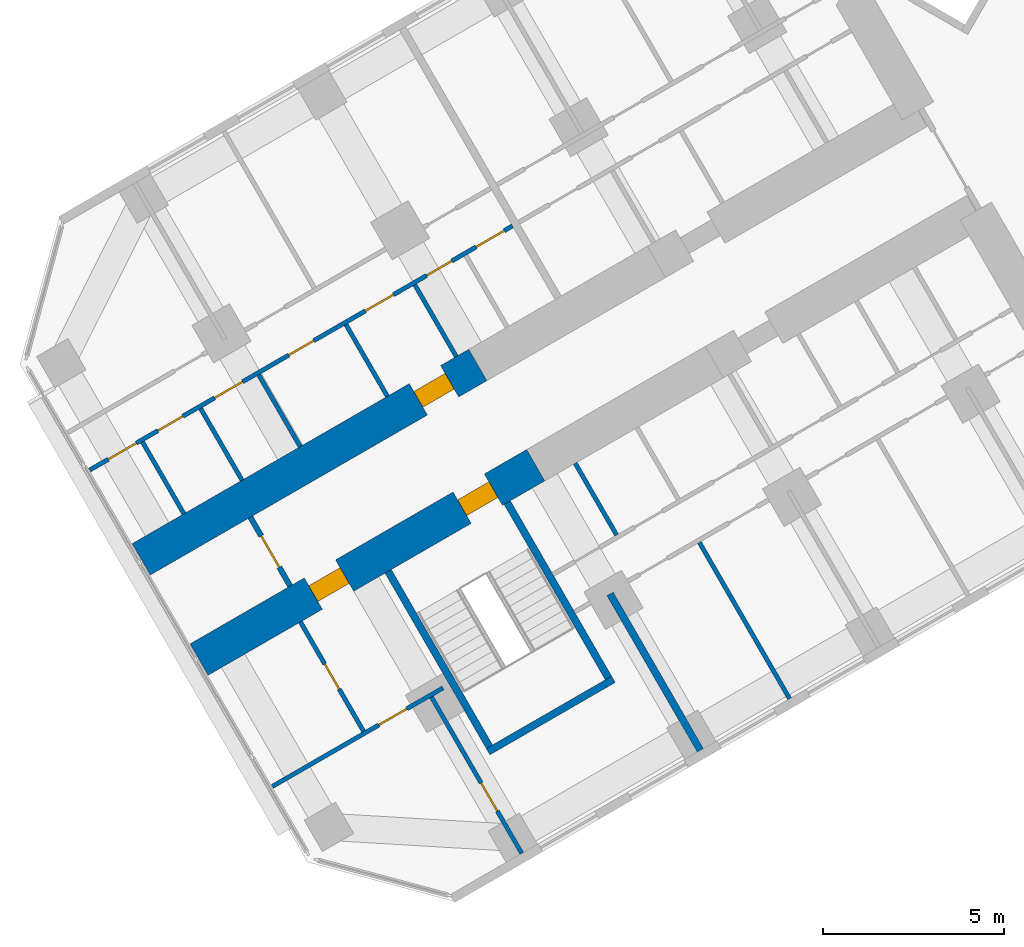
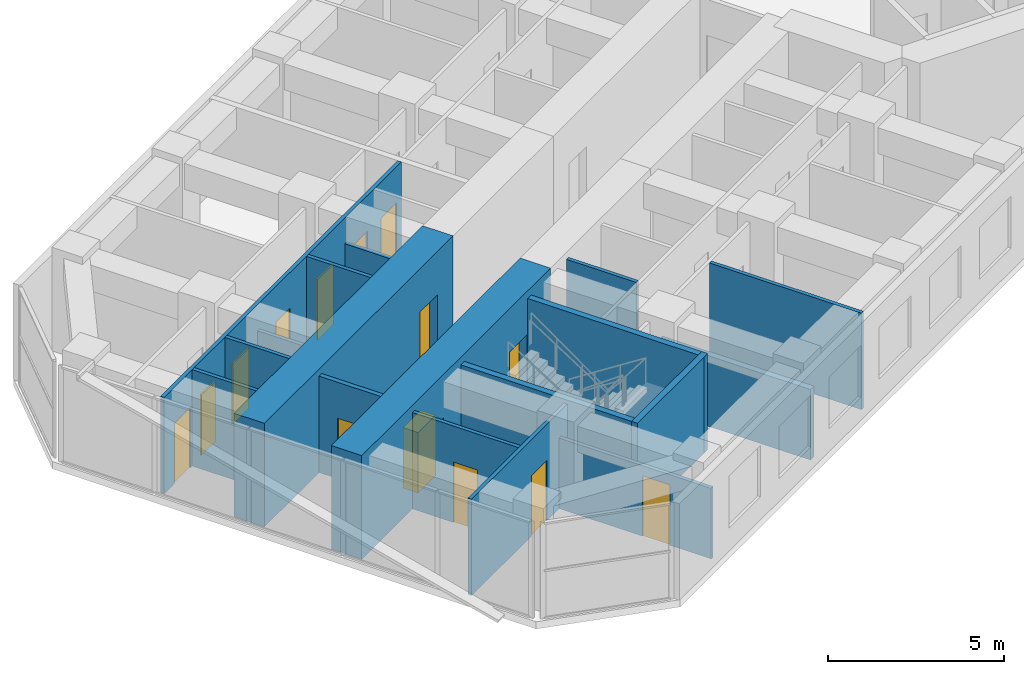
# One storey, part 10 of 21: 18 walls, 14 doors, 14 openings.
"""IFC4 building model written with IfcOpenShell, lengths in metres."""

from ifc_helpers import new_model, si_unit, direction, frame, frame_2d, origin, place, context, subcontext, project, spatial, rectangle, extrude, material, layer, layer_set, type_object, element, fill, save


model = new_model("IFC4")

# Units and contexts
model_context = context("Model", 3, precision=1e-05, world=origin(), true_north=direction((0.0, 1.0)))
body_context = subcontext(model_context, "Body", "Model", "MODEL_VIEW")
ifc_project = project(units=[si_unit("LENGTHUNIT", "METRE"), si_unit("AREAUNIT", "SQUARE_METRE"), si_unit("VOLUMEUNIT", "CUBIC_METRE"), si_unit("PLANEANGLEUNIT", "RADIAN"), si_unit("MASSUNIT", "GRAM", prefix="KILO")], contexts=[model_context])

# Site, building, storey
site_placement = place(None, origin())
site = spatial("IfcSite", under=ifc_project, at=site_placement, CompositionType="ELEMENT")
building_placement = place(site_placement, origin())
building = spatial("IfcBuilding", under=site, at=building_placement, Name="Kosmar Iwan School Tower", CompositionType="ELEMENT")
storey_placement = place(building_placement, frame((0.0, 0.0, 71.800048828125)))
storey = spatial("IfcBuildingStorey", under=building, at=storey_placement, Name="L17", CompositionType="ELEMENT", Elevation=71.800048828125)

# Wall, openings, doors
ifc_material_1 = material(Name="Concrete C50/60", Category="concrete")
ifc_layer_1 = layer(ifc_material_1, 1.0)
ifc_layer_set_1 = layer_set([ifc_layer_1], Name="Corridor buttress wall 1000")
wall_type_1 = type_object("IfcWallType", Name="Corridor buttress wall 1000", PredefinedType="SHEAR", material=ifc_layer_set_1)
wall_1_placement = place(storey_placement, frame((-19.681396484375, -13.210693359375, 0.0), z_axis=(0.0, 0.0, 1.0), x_axis=(-0.866028186671, -0.499995179869, 0.0)))
wall_1 = element("IfcWall", 1, at=wall_1_placement, inside=storey, type_object=wall_type_1, Name="Corridor wall BL bay 3", PredefinedType="SHEAR", context=body_context, shape_type="SweptSolid", body=[
    extrude(rectangle(XDim=10.7451171875, YDim=1.0, at=frame_2d((5.37255859375, 0.0))), origin(), (0.0, 0.0, 1.0), 3.599853515625),
])
opening_1_placement = place(wall_1_placement, frame((6.10009765625, 0.0, 0.0)))
opening_1 = element("IfcOpeningElement", 2, at=opening_1_placement, cuts=wall_1, Name="Opening D1", PredefinedType="OPENING", context=body_context, shape_type="SweptSolid", body=[
    extrude(rectangle(XDim=1.0, YDim=2.10009765625, at=frame_2d((0.5, 1.050048828125))), frame((0.0, 0.511962890625, 0.0), z_axis=(0.0, -1.0, 0.0), x_axis=(1.0, 0.0, 0.0)), (0.0, 0.0, 1.0), 1.02392578125),
])
opening_2_placement = place(wall_1_placement, frame((1.35009765625, 0.0, 0.0)))
opening_2 = element("IfcOpeningElement", 3, at=opening_2_placement, cuts=wall_1, Name="Opening D6", PredefinedType="OPENING", context=body_context, shape_type="SweptSolid", body=[
    extrude(rectangle(XDim=1.0, YDim=2.10009765625, at=frame_2d((0.5, 1.050048828125))), frame((0.0, 0.511962890625, 0.0), z_axis=(0.0, -1.0, 0.0), x_axis=(1.0, 0.0, 0.0)), (0.0, 0.0, 1.0), 1.02392578125),
])
ifc_material_2 = material(Name="Timber fire door in steel frame", Category="steel")
door_type_1 = type_object("IfcDoorType", Name="Flat entrance door 1000x2100", OperationType="SINGLE_SWING_LEFT", PredefinedType="DOOR", material=ifc_material_2)
door_1_placement = place(opening_1_placement, origin())
door_1 = element("IfcDoor", 4, at=door_1_placement, inside=storey, type_object=door_type_1, Name="Flat L17-BL2 entrance door", OperationType="SINGLE_SWING_RIGHT", OverallHeight=2.10009765625, OverallWidth=1.0, PredefinedType="DOOR", context=body_context, shape_type="SweptSolid", body=[
    extrude(rectangle(XDim=1.0, YDim=2.10009765625, at=frame_2d((0.5, 1.050048828125))), frame((0.0, 0.25, 0.0), z_axis=(0.0, -1.0, 0.0), x_axis=(1.0, 0.0, 0.0)), (0.0, 0.0, 1.0), 0.5),
])
fill(opening_1, door_1)
ifc_material_3 = material(Name="Steel fire door", Category="steel")
door_type_2 = type_object("IfcDoorType", Name="Stair door 1000x2100", OperationType="SINGLE_SWING_LEFT", PredefinedType="DOOR", material=ifc_material_3)
door_2_placement = place(opening_2_placement, origin())
door_2 = element("IfcDoor", 5, at=door_2_placement, inside=storey, type_object=door_type_2, Name="Stair WS2 door L17", OperationType="SINGLE_SWING_LEFT", OverallHeight=2.10009765625, OverallWidth=1.0, PredefinedType="DOOR", context=body_context, shape_type="SweptSolid", body=[
    extrude(rectangle(XDim=1.0, YDim=2.10009765625, at=frame_2d((0.5, 1.050048828125))), frame((0.0, 0.25, 0.0), z_axis=(0.0, -1.0, 0.0), x_axis=(1.0, 0.0, 0.0)), (0.0, 0.0, 1.0), 0.5),
])
fill(opening_2, door_2)

# Wall, opening, door
wall_2_placement = place(storey_placement, frame((-21.281494140625, -10.439453125, 0.0), z_axis=(0.0, 0.0, 1.0), x_axis=(-0.866032345022, -0.499987977232, 0.0)))
wall_2 = element("IfcWall", 6, at=wall_2_placement, inside=storey, type_object=wall_type_1, Name="Corridor wall BR bay 3", PredefinedType="SHEAR", context=body_context, shape_type="SweptSolid", body=[
    extrude(rectangle(XDim=10.744873046875, YDim=1.0, at=frame_2d((5.37255859375, 0.0))), origin(), (0.0, 0.0, 1.0), 3.599853515625),
])
opening_3_placement = place(wall_2_placement, frame((0.89990234375, 0.0, 0.0)))
opening_3 = element("IfcOpeningElement", 7, at=opening_3_placement, cuts=wall_2, Name="Opening D1", PredefinedType="OPENING", context=body_context, shape_type="SweptSolid", body=[
    extrude(rectangle(XDim=1.0, YDim=2.10009765625, at=frame_2d((0.5, 1.050048828125))), frame((0.0, 0.511962890625, 0.0), z_axis=(0.0, -1.0, 0.0), x_axis=(1.0, 0.0, 0.0)), (0.0, 0.0, 1.0), 1.02392578125),
])
door_3_placement = place(opening_3_placement, origin())
door_3 = element("IfcDoor", 8, at=door_3_placement, inside=storey, type_object=door_type_1, Name="Flat L17-BR2 entrance door", OperationType="SINGLE_SWING_LEFT", OverallHeight=2.10009765625, OverallWidth=1.0, PredefinedType="DOOR", context=body_context, shape_type="SweptSolid", body=[
    extrude(rectangle(XDim=1.0, YDim=2.10009765625, at=frame_2d((0.5, 1.050048828125))), frame((0.0, 0.25, 0.0), z_axis=(0.0, -1.0, 0.0), x_axis=(1.0, 0.0, 0.0)), (0.0, 0.0, 1.0), 0.5),
])
fill(opening_3, door_3)

ifc_material_4 = material(Name="Gypsum board on steel studs, fire-rated", Category="steel")
ifc_layer_2 = layer(ifc_material_4, 0.14990234375)
ifc_layer_set_2 = layer_set([ifc_layer_2], Name="Corridor end wall 150")
wall_type_2 = type_object("IfcWallType", Name="Corridor end wall 150", PredefinedType="PARTITIONING", material=ifc_layer_set_2)
wall_3_placement = place(storey_placement, frame((-27.570068359375, -14.6474609375, 0.0), z_axis=(0.0, 0.0, 1.0), x_axis=(0.50002983664, -0.866008176907, 0.0)))
wall_3 = element("IfcWall", 9, at=wall_3_placement, inside=storey, type_object=wall_type_2, Name="Partition L17-B-CE", PredefinedType="PARTITIONING", context=body_context, shape_type="SweptSolid", body=[
    extrude(rectangle(XDim=2.199951171875, YDim=0.14990234375, at=frame_2d((1.10009765625, 0.0))), origin(), (0.0, 0.0, 1.0), 3.349853515625),
])
opening_4_placement = place(wall_3_placement, frame((0.60009765625, 0.0, 0.0)))
opening_4 = element("IfcOpeningElement", 10, at=opening_4_placement, cuts=wall_3, Name="Opening D13", PredefinedType="OPENING", context=body_context, shape_type="SweptSolid", body=[
    extrude(rectangle(XDim=1.0, YDim=2.10009765625, at=frame_2d((0.5, 1.050048828125))), frame((0.0, 0.0869140625, 0.0), z_axis=(0.0, -1.0, 0.0), x_axis=(1.0, 0.0, 0.0)), (0.0, 0.0, 1.0), 0.173828125),
])
ifc_material_5 = material(Name="Timber fire door with vision panel", Category="wood")
door_type_3 = type_object("IfcDoorType", Name="Corridor end door 1000x2100", OperationType="SINGLE_SWING_LEFT", PredefinedType="DOOR", material=ifc_material_5)
door_4_placement = place(opening_4_placement, origin())
door_4 = element("IfcDoor", 11, at=door_4_placement, inside=storey, type_object=door_type_3, Name="Children's play room door L17-B", OperationType="SINGLE_SWING_RIGHT", OverallHeight=2.10009765625, OverallWidth=1.0, PredefinedType="DOOR", context=body_context, shape_type="SweptSolid", body=[
    extrude(rectangle(XDim=1.0, YDim=2.10009765625, at=frame_2d((0.5, 1.050048828125))), frame((0.0, 0.02490234375, 0.0), z_axis=(0.0, -1.0, 0.0), x_axis=(1.0, 0.0, 0.0)), (0.0, 0.0, 1.0), 0.050048828125),
])
fill(opening_4, door_4)

# Walls
ifc_material_6 = material(Name="Gypsum board on steel studs", Category="steel")
ifc_layer_3 = layer(ifc_material_6, 0.1201171875)
ifc_layer_set_3 = layer_set([ifc_layer_3], Name="Dwelling partition 120")
wall_type_3 = type_object("IfcWallType", Name="Dwelling partition 120", PredefinedType="PARTITIONING", material=ifc_layer_set_3)
wall_4_placement = place(storey_placement, frame((-15.158447265625, -15.344970703125, 0.0), z_axis=(0.0, 0.0, 1.0), x_axis=(0.500011847778, -0.866018563358, 0.0)))
element("IfcWall", 12, at=wall_4_placement, inside=storey, type_object=wall_type_3, Name="Partition L17-BL1-X4", PredefinedType="PARTITIONING", context=body_context, shape_type="SweptSolid", body=[
    extrude(rectangle(XDim=4.990234375, YDim=0.1201171875, at=frame_2d((2.4951171875, 0.0))), origin(), (0.0, 0.0, 1.0), 3.349853515625),
])
wall_5_placement = place(storey_placement, frame((-18.59033203125, -13.157958984375, 0.0), z_axis=(0.0, 0.0, 1.0), x_axis=(0.500014693593, -0.866016920268, 0.0)))
element("IfcWall", 13, at=wall_5_placement, inside=storey, type_object=wall_type_3, Name="Partition L17-BL1-Y6", PredefinedType="PARTITIONING", context=body_context, shape_type="SweptSolid", body=[
    extrude(rectangle(XDim=2.2900390625, YDim=0.1201171875, at=frame_2d((1.14501953125, 0.0))), origin(), (0.0, 0.0, 1.0), 3.349853515625),
])

# Wall, opening, door
wall_6_placement = place(storey_placement, frame((-22.562744140625, -19.6201171875, 0.0), z_axis=(0.0, 0.0, 1.0), x_axis=(0.499996339024, -0.86602751744, 0.0)))
wall_6 = element("IfcWall", 14, at=wall_6_placement, inside=storey, type_object=wall_type_3, Name="Partition L17-BL2-TX", PredefinedType="PARTITIONING", context=body_context, shape_type="SweptSolid", body=[
    extrude(rectangle(XDim=4.98974609375, YDim=0.1201171875, at=frame_2d((2.494873046875, 0.0))), origin(), (0.0, 0.0, 1.0), 2.449951171875),
])
opening_5_placement = place(wall_6_placement, frame((2.739990234375, 0.0, 0.0)))
opening_5 = element("IfcOpeningElement", 15, at=opening_5_placement, cuts=wall_6, Name="Opening D2", PredefinedType="OPENING", context=body_context, shape_type="SweptSolid", body=[
    extrude(rectangle(XDim=0.89990234375, YDim=2.10009765625, at=frame_2d((0.449951171875, 1.050048828125))), frame((0.0, 0.072021484375, 0.0), z_axis=(0.0, -1.0, 0.0), x_axis=(1.0, 0.0, 0.0)), (0.0, 0.0, 1.0), 0.14404296875),
])
ifc_material_7 = material(Name="Timber door in timber frame", Category="wood")
door_type_4 = type_object("IfcDoorType", Name="Internal door 900x2100", OperationType="SINGLE_SWING_LEFT", PredefinedType="DOOR", material=ifc_material_7)
door_5_placement = place(opening_5_placement, origin())
door_5 = element("IfcDoor", 16, at=door_5_placement, inside=storey, type_object=door_type_4, Name="Bedroom 1 door L17-BL2-T1", OperationType="SINGLE_SWING_RIGHT", OverallHeight=2.10009765625, OverallWidth=0.89990234375, PredefinedType="DOOR", context=body_context, shape_type="SweptSolid", body=[
    extrude(rectangle(XDim=0.89990234375, YDim=2.10009765625, at=frame_2d((0.449951171875, 1.050048828125))), frame((0.0, 0.02490234375, 0.0), z_axis=(0.0, -1.0, 0.0), x_axis=(1.0, 0.0, 0.0)), (0.0, 0.0, 1.0), 0.050048828125),
])
fill(opening_5, door_5)

wall_7_placement = place(storey_placement, frame((-22.246337890625, -19.3681640625, 0.0), z_axis=(0.0, 0.0, 1.0), x_axis=(-0.866035508231, -0.499982498177, 0.0)))
wall_7 = element("IfcWall", 17, at=wall_7_placement, inside=storey, type_object=wall_type_3, Name="Partition L17-BL2-TW", PredefinedType="PARTITIONING", context=body_context, shape_type="SweptSolid", body=[
    extrude(rectangle(XDim=5.445068359375, YDim=0.1201171875, at=frame_2d((2.72265625, 0.0))), origin(), (0.0, 0.0, 1.0), 3.349853515625),
])
opening_6_placement = place(wall_7_placement, frame((1.14990234375, 0.0, 0.0)))
opening_6 = element("IfcOpeningElement", 18, at=opening_6_placement, cuts=wall_7, Name="Opening D2", PredefinedType="OPENING", context=body_context, shape_type="SweptSolid", body=[
    extrude(rectangle(XDim=0.89990234375, YDim=2.10009765625, at=frame_2d((0.449951171875, 1.050048828125))), frame((0.0, 0.072021484375, 0.0), z_axis=(0.0, -1.0, 0.0), x_axis=(1.0, 0.0, 0.0)), (0.0, 0.0, 1.0), 0.14404296875),
])
door_6_placement = place(opening_6_placement, origin())
door_6 = element("IfcDoor", 19, at=door_6_placement, inside=storey, type_object=door_type_4, Name="Entrance hall door L17-BL2-T3", OperationType="SINGLE_SWING_LEFT", OverallHeight=2.10009765625, OverallWidth=0.89990234375, PredefinedType="DOOR", context=body_context, shape_type="SweptSolid", body=[
    extrude(rectangle(XDim=0.89990234375, YDim=2.10009765625, at=frame_2d((0.449951171875, 1.050048828125))), frame((0.0, 0.02490234375, 0.0), z_axis=(0.0, -1.0, 0.0), x_axis=(1.0, 0.0, 0.0)), (0.0, 0.0, 1.0), 0.050048828125),
])
fill(opening_6, door_6)

wall_8_placement = place(storey_placement, frame((-26.1865234375, -17.543701171875, 0.0), z_axis=(0.0, 0.0, 1.0), x_axis=(0.50002117804, -0.866013176292, 0.0)))
wall_8 = element("IfcWall", 20, at=wall_8_placement, inside=storey, type_object=wall_type_3, Name="Partition L17-BL2-TY", PredefinedType="PARTITIONING", context=body_context, shape_type="SweptSolid", body=[
    extrude(rectangle(XDim=3.489990234375, YDim=0.1201171875, at=frame_2d((1.7451171875, 0.0))), origin(), (0.0, 0.0, 1.0), 3.349853515625),
])
opening_7_placement = place(wall_8_placement, frame((1.344970703125, 0.0, 0.0)))
opening_7 = element("IfcOpeningElement", 21, at=opening_7_placement, cuts=wall_8, Name="Opening D3", PredefinedType="OPENING", context=body_context, shape_type="SweptSolid", body=[
    extrude(rectangle(XDim=0.800048828125, YDim=2.10009765625, at=frame_2d((0.39990234375, 1.050048828125))), frame((0.0, 0.072021484375, 0.0), z_axis=(0.0, -1.0, 0.0), x_axis=(1.0, 0.0, 0.0)), (0.0, 0.0, 1.0), 0.14404296875),
])
ifc_material_8 = material(Name="Timber door in timber frame", Category="wood")
door_type_5 = type_object("IfcDoorType", Name="Sanitary room door 800x2100", OperationType="SINGLE_SWING_LEFT", PredefinedType="DOOR", material=ifc_material_8)
door_7_placement = place(opening_7_placement, origin())
door_7 = element("IfcDoor", 22, at=door_7_placement, inside=storey, type_object=door_type_5, Name="Bathroom door L17-BL2-T4", OperationType="SINGLE_SWING_RIGHT", OverallHeight=2.10009765625, OverallWidth=0.800048828125, PredefinedType="DOOR", context=body_context, shape_type="SweptSolid", body=[
    extrude(rectangle(XDim=0.800048828125, YDim=2.10009765625, at=frame_2d((0.39990234375, 1.050048828125))), frame((0.0, 0.02490234375, 0.0), z_axis=(0.0, -1.0, 0.0), x_axis=(1.0, 0.0, 0.0)), (0.0, 0.0, 1.0), 0.050048828125),
])
fill(opening_7, door_7)

# Wall, openings, doors
wall_9_placement = place(storey_placement, frame((-20.324951171875, -6.59619140625, 0.0), z_axis=(0.0, 0.0, 1.0), x_axis=(-0.866023503214, -0.50000329187, 0.0)))
wall_9 = element("IfcWall", 23, at=wall_9_placement, inside=storey, type_object=wall_type_3, Name="Partition L17-BR2-W1", PredefinedType="PARTITIONING", context=body_context, shape_type="SweptSolid", body=[
    extrude(rectangle(XDim=13.4951171875, YDim=0.1201171875, at=frame_2d((6.74755859375, 0.0))), origin(), (0.0, 0.0, 1.0), 3.349853515625),
])
opening_8_placement = place(wall_9_placement, frame((0.262451171875, 0.0, 0.0)))
opening_8 = element("IfcOpeningElement", 24, at=opening_8_placement, cuts=wall_9, Name="Opening D2", PredefinedType="OPENING", context=body_context, shape_type="SweptSolid", body=[
    extrude(rectangle(XDim=0.89990234375, YDim=2.10009765625, at=frame_2d((0.449951171875, 1.050048828125))), frame((0.0, 0.072021484375, 0.0), z_axis=(0.0, -1.0, 0.0), x_axis=(1.0, 0.0, 0.0)), (0.0, 0.0, 1.0), 0.14404296875),
])
opening_9_placement = place(wall_9_placement, frame((1.9375, 0.0, 0.0)))
opening_9 = element("IfcOpeningElement", 25, at=opening_9_placement, cuts=wall_9, Name="Opening D3", PredefinedType="OPENING", context=body_context, shape_type="SweptSolid", body=[
    extrude(rectangle(XDim=0.800048828125, YDim=2.10009765625, at=frame_2d((0.39990234375, 1.050048828125))), frame((0.0, 0.072021484375, 0.0), z_axis=(0.0, -1.0, 0.0), x_axis=(1.0, 0.0, 0.0)), (0.0, 0.0, 1.0), 0.14404296875),
])
opening_10_placement = place(wall_9_placement, frame((3.800048828125, 0.0, 0.0)))
opening_10 = element("IfcOpeningElement", 26, at=opening_10_placement, cuts=wall_9, Name="Opening D2", PredefinedType="OPENING", context=body_context, shape_type="SweptSolid", body=[
    extrude(rectangle(XDim=0.89990234375, YDim=2.10009765625, at=frame_2d((0.449951171875, 1.050048828125))), frame((0.0, 0.072021484375, 0.0), z_axis=(0.0, -1.0, 0.0), x_axis=(1.0, 0.0, 0.0)), (0.0, 0.0, 1.0), 0.14404296875),
])
opening_11_placement = place(wall_9_placement, frame((6.341796875, 0.0, 0.0)))
opening_11 = element("IfcOpeningElement", 27, at=opening_11_placement, cuts=wall_9, Name="Opening D3", PredefinedType="OPENING", context=body_context, shape_type="SweptSolid", body=[
    extrude(rectangle(XDim=0.800048828125, YDim=2.10009765625, at=frame_2d((0.39990234375, 1.050048828125))), frame((0.0, 0.072021484375, 0.0), z_axis=(0.0, -1.0, 0.0), x_axis=(1.0, 0.0, 0.0)), (0.0, 0.0, 1.0), 0.14404296875),
])
opening_12_placement = place(wall_9_placement, frame((8.611083984375, 0.0, 0.0)))
opening_12 = element("IfcOpeningElement", 28, at=opening_12_placement, cuts=wall_9, Name="Opening D2", PredefinedType="OPENING", context=body_context, shape_type="SweptSolid", body=[
    extrude(rectangle(XDim=0.89990234375, YDim=2.10009765625, at=frame_2d((0.449951171875, 1.050048828125))), frame((0.0, 0.072021484375, 0.0), z_axis=(0.0, -1.0, 0.0), x_axis=(1.0, 0.0, 0.0)), (0.0, 0.0, 1.0), 0.14404296875),
])
opening_13_placement = place(wall_9_placement, frame((10.5166015625, 0.0, 0.0)))
opening_13 = element("IfcOpeningElement", 29, at=opening_13_placement, cuts=wall_9, Name="Opening D3", PredefinedType="OPENING", context=body_context, shape_type="SweptSolid", body=[
    extrude(rectangle(XDim=0.800048828125, YDim=2.10009765625, at=frame_2d((0.39990234375, 1.050048828125))), frame((0.0, 0.072021484375, 0.0), z_axis=(0.0, -1.0, 0.0), x_axis=(1.0, 0.0, 0.0)), (0.0, 0.0, 1.0), 0.14404296875),
])
opening_14_placement = place(wall_9_placement, frame((12.00439453125, 0.0, 0.0)))
opening_14 = element("IfcOpeningElement", 30, at=opening_14_placement, cuts=wall_9, Name="Opening D2", PredefinedType="OPENING", context=body_context, shape_type="SweptSolid", body=[
    extrude(rectangle(XDim=0.89990234375, YDim=2.10009765625, at=frame_2d((0.449951171875, 1.050048828125))), frame((0.0, 0.072021484375, 0.0), z_axis=(0.0, -1.0, 0.0), x_axis=(1.0, 0.0, 0.0)), (0.0, 0.0, 1.0), 0.14404296875),
])
door_8_placement = place(opening_8_placement, origin())
door_8 = element("IfcDoor", 31, at=door_8_placement, inside=storey, type_object=door_type_4, Name="Dressing room door L17-BR2-S1", OperationType="SINGLE_SWING_LEFT", OverallHeight=2.10009765625, OverallWidth=0.89990234375, PredefinedType="DOOR", context=body_context, shape_type="SweptSolid", body=[
    extrude(rectangle(XDim=0.89990234375, YDim=2.10009765625, at=frame_2d((0.449951171875, 1.050048828125))), frame((0.0, 0.02490234375, 0.0), z_axis=(0.0, -1.0, 0.0), x_axis=(1.0, 0.0, 0.0)), (0.0, 0.0, 1.0), 0.050048828125),
])
fill(opening_8, door_8)
door_9_placement = place(opening_10_placement, origin())
door_9 = element("IfcDoor", 32, at=door_9_placement, inside=storey, type_object=door_type_4, Name="Entrance hall door L17-BR2-S3", OperationType="SINGLE_SWING_LEFT", OverallHeight=2.10009765625, OverallWidth=0.89990234375, PredefinedType="DOOR", context=body_context, shape_type="SweptSolid", body=[
    extrude(rectangle(XDim=0.89990234375, YDim=2.10009765625, at=frame_2d((0.449951171875, 1.050048828125))), frame((0.0, 0.02490234375, 0.0), z_axis=(0.0, -1.0, 0.0), x_axis=(1.0, 0.0, 0.0)), (0.0, 0.0, 1.0), 0.050048828125),
])
fill(opening_10, door_9)
door_10_placement = place(opening_12_placement, origin())
door_10 = element("IfcDoor", 33, at=door_10_placement, inside=storey, type_object=door_type_4, Name="Pantry door L17-BR2-S5", OperationType="SINGLE_SWING_LEFT", OverallHeight=2.10009765625, OverallWidth=0.89990234375, PredefinedType="DOOR", context=body_context, shape_type="SweptSolid", body=[
    extrude(rectangle(XDim=0.89990234375, YDim=2.10009765625, at=frame_2d((0.449951171875, 1.050048828125))), frame((0.0, 0.02490234375, 0.0), z_axis=(0.0, -1.0, 0.0), x_axis=(1.0, 0.0, 0.0)), (0.0, 0.0, 1.0), 0.050048828125),
])
fill(opening_12, door_10)
door_11_placement = place(opening_14_placement, origin())
door_11 = element("IfcDoor", 34, at=door_11_placement, inside=storey, type_object=door_type_4, Name="Utility room door L17-BR2-S7", OperationType="SINGLE_SWING_LEFT", OverallHeight=2.10009765625, OverallWidth=0.89990234375, PredefinedType="DOOR", context=body_context, shape_type="SweptSolid", body=[
    extrude(rectangle(XDim=0.89990234375, YDim=2.10009765625, at=frame_2d((0.449951171875, 1.050048828125))), frame((0.0, 0.02490234375, 0.0), z_axis=(0.0, -1.0, 0.0), x_axis=(1.0, 0.0, 0.0)), (0.0, 0.0, 1.0), 0.050048828125),
])
fill(opening_14, door_11)
door_12_placement = place(opening_9_placement, origin())
door_12 = element("IfcDoor", 35, at=door_12_placement, inside=storey, type_object=door_type_5, Name="Store door L17-BR2-S2", OperationType="SINGLE_SWING_RIGHT", OverallHeight=2.10009765625, OverallWidth=0.800048828125, PredefinedType="DOOR", context=body_context, shape_type="SweptSolid", body=[
    extrude(rectangle(XDim=0.800048828125, YDim=2.10009765625, at=frame_2d((0.39990234375, 1.050048828125))), frame((0.0, 0.02490234375, 0.0), z_axis=(0.0, -1.0, 0.0), x_axis=(1.0, 0.0, 0.0)), (0.0, 0.0, 1.0), 0.050048828125),
])
fill(opening_9, door_12)
door_13_placement = place(opening_11_placement, origin())
door_13 = element("IfcDoor", 36, at=door_13_placement, inside=storey, type_object=door_type_5, Name="Bathroom door L17-BR2-S4", OperationType="SINGLE_SWING_RIGHT", OverallHeight=2.10009765625, OverallWidth=0.800048828125, PredefinedType="DOOR", context=body_context, shape_type="SweptSolid", body=[
    extrude(rectangle(XDim=0.800048828125, YDim=2.10009765625, at=frame_2d((0.39990234375, 1.050048828125))), frame((0.0, 0.02490234375, 0.0), z_axis=(0.0, -1.0, 0.0), x_axis=(1.0, 0.0, 0.0)), (0.0, 0.0, 1.0), 0.050048828125),
])
fill(opening_11, door_13)
door_14_placement = place(opening_13_placement, origin())
door_14 = element("IfcDoor", 37, at=door_14_placement, inside=storey, type_object=door_type_5, Name="WC door L17-BR2-S6", OperationType="SINGLE_SWING_RIGHT", OverallHeight=2.10009765625, OverallWidth=0.800048828125, PredefinedType="DOOR", context=body_context, shape_type="SweptSolid", body=[
    extrude(rectangle(XDim=0.800048828125, YDim=2.10009765625, at=frame_2d((0.39990234375, 1.050048828125))), frame((0.0, 0.02490234375, 0.0), z_axis=(0.0, -1.0, 0.0), x_axis=(1.0, 0.0, 0.0)), (0.0, 0.0, 1.0), 0.050048828125),
])
fill(opening_13, door_14)

# Walls
wall_10_placement = place(storey_placement, frame((-21.8779296875, -10.206298828125, 0.0), z_axis=(0.0, 0.0, 1.0), x_axis=(-0.500014693593, 0.866016920268, 0.0)))
element("IfcWall", 38, at=wall_10_placement, inside=storey, type_object=wall_type_3, Name="Partition L17-BR2-Y2", PredefinedType="PARTITIONING", context=body_context, shape_type="SweptSolid", body=[
    extrude(rectangle(XDim=2.2900390625, YDim=0.1201171875, at=frame_2d((1.14501953125, 0.0))), origin(), (0.0, 0.0, 1.0), 2.449951171875),
])
wall_11_placement = place(storey_placement, frame((-23.783203125, -11.306396484375, 0.0), z_axis=(0.0, 0.0, 1.0), x_axis=(-0.500014693593, 0.866016920268, 0.0)))
element("IfcWall", 39, at=wall_11_placement, inside=storey, type_object=wall_type_3, Name="Partition L17-BR2-Y3", PredefinedType="PARTITIONING", context=body_context, shape_type="SweptSolid", body=[
    extrude(rectangle(XDim=2.2900390625, YDim=0.1201171875, at=frame_2d((1.14501953125, 0.0))), origin(), (0.0, 0.0, 1.0), 3.349853515625),
])
wall_12_placement = place(storey_placement, frame((-26.193603515625, -12.697998046875, 0.0), z_axis=(0.0, 0.0, 1.0), x_axis=(-0.500014693593, 0.866016920268, 0.0)))
element("IfcWall", 40, at=wall_12_placement, inside=storey, type_object=wall_type_3, Name="Partition L17-BR2-Y4", PredefinedType="PARTITIONING", context=body_context, shape_type="SweptSolid", body=[
    extrude(rectangle(XDim=2.2900390625, YDim=0.1201171875, at=frame_2d((1.14501953125, 0.0))), origin(), (0.0, 0.0, 1.0), 2.449951171875),
])
for number, where, z_axis, x_axis, name in (
    (41, (-27.800537109375, -13.625732421875, 0.0), (0.0, 0.0, 1.0), (-0.500014693593, 0.866016920268, 0.0), "Partition L17-BR2-Y5"),
    (42, (-29.407470703125, -14.553466796875, 0.0), (0.0, 0.0, 1.0), (-0.500014693593, 0.866016920268, 0.0), "Partition L17-BR2-Y6"),
):
    element("IfcWall", number, at=place(storey_placement, frame(where, z_axis=z_axis, x_axis=x_axis)), inside=storey, type_object=wall_type_3, Name=name, PredefinedType="PARTITIONING", context=body_context, shape_type="SweptSolid", body=[
        extrude(rectangle(XDim=2.2900390625, YDim=0.1201171875, at=frame_2d((1.14501953125, 0.0))), origin(), (0.0, 0.0, 1.0), 3.349853515625),
    ])
ifc_material_9 = material(Name="Concrete C35/45", Category="concrete")
ifc_layer_4 = layer(ifc_material_9, 0.199951171875)
ifc_layer_set_4 = layer_set([ifc_layer_4], Name="Escape stair wall 200")
wall_type_4 = type_object("IfcWallType", Name="Escape stair wall 200", PredefinedType="SHEAR", material=ifc_layer_set_4)
for number, where, z_axis, x_axis, name in (
    (43, (-20.470703125, -14.24365234375, 0.0), (0.0, 0.0, 1.0), (0.499987231761, -0.866032775405, 0.0), "Stair WS2 wall"),
    (44, (-23.76171875, -16.1435546875, 0.0), (0.0, 0.0, 1.0), (0.500018801468, -0.86601454848, 0.0), "Stair WS2 wall"),
):
    element("IfcWall", number, at=place(storey_placement, frame(where, z_axis=z_axis, x_axis=x_axis)), inside=storey, type_object=wall_type_4, Name=name, PredefinedType="SHEAR", context=body_context, shape_type="SweptSolid", body=[
        extrude(rectangle(XDim=5.800048828125, YDim=0.199951171875, at=frame_2d((2.89990234375, 0.0))), origin(), (0.0, 0.0, 1.0), 3.329833984375),
    ])
wall_13_placement = place(storey_placement, frame((-17.5341796875, -19.1298828125, 0.0), z_axis=(0.0, 0.0, 1.0), x_axis=(-0.866026010844, -0.49999894854, 0.0)))
element("IfcWall", 45, at=wall_13_placement, inside=storey, type_object=wall_type_4, Name="Stair WS2 wall", PredefinedType="SHEAR", context=body_context, shape_type="SweptSolid", body=[
    extrude(rectangle(XDim=4.0, YDim=0.199951171875, at=frame_2d((2.0, 0.0))), origin(), (0.0, 0.0, 1.0), 3.329833984375),
])
ifc_material_10 = material(Name="Concrete block masonry", Category="masonry")
ifc_layer_5 = layer(ifc_material_10, 0.199951171875)
ifc_layer_set_5 = layer_set([ifc_layer_5], Name="Party wall 200")
wall_type_5 = type_object("IfcWallType", Name="Party wall 200", PredefinedType="PARTITIONING", material=ifc_layer_set_5)
wall_14_placement = place(storey_placement, frame((-17.62646484375, -16.77001953125, 0.0), z_axis=(0.0, 0.0, 1.0), x_axis=(0.499975153383, -0.86603974851, 0.0)))
element("IfcWall", 46, at=wall_14_placement, inside=storey, type_object=wall_type_5, Name="Partition L17-BL2-TB", PredefinedType="PARTITIONING", context=body_context, shape_type="SweptSolid", body=[
    extrude(rectangle(XDim=4.989990234375, YDim=0.199951171875, at=frame_2d((2.4951171875, 0.0))), origin(), (0.0, 0.0, 1.0), 2.449951171875),
])

save(model, "model.ifc")
